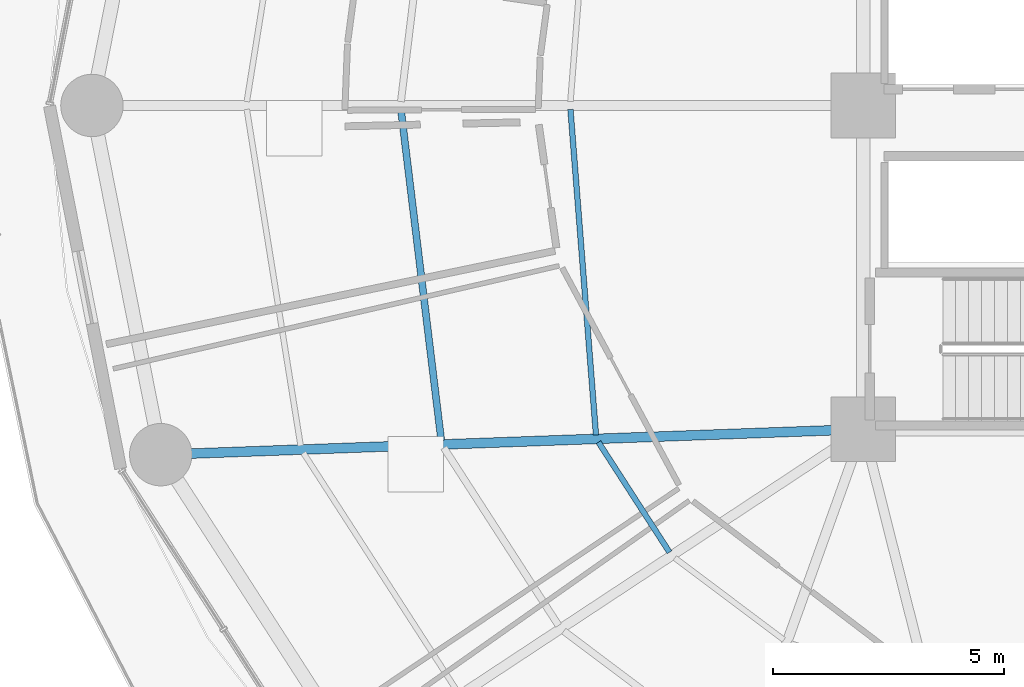
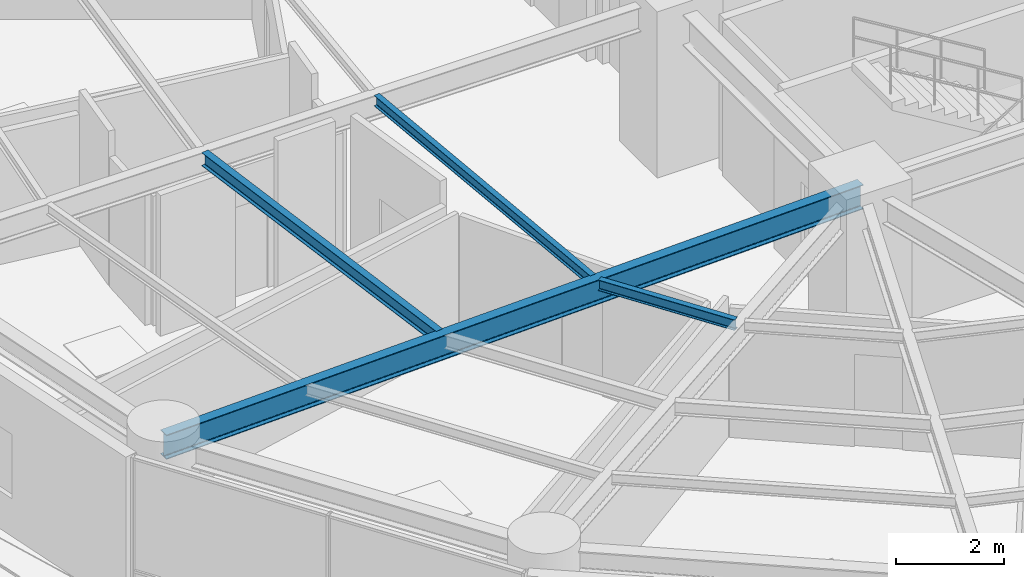
# One storey, part 7 of 35: 4 beams.
"""IFC4 building model written with IfcOpenShell, lengths in metres."""

from ifc_helpers import new_model, si_unit, direction, frame, origin, origin_2d, place, context, subcontext, project, spatial, i_section, extrude, material, material_profile, profile_set, type_object, element, save


model = new_model("IFC4")

# Units and contexts
model_context = context("Model", 3, precision=1e-05, world=origin(), true_north=direction((0.0, 1.0)))
body_context = subcontext(model_context, "Body", "Model", "MODEL_VIEW")
ifc_project = project(units=[si_unit("LENGTHUNIT", "METRE"), si_unit("AREAUNIT", "SQUARE_METRE"), si_unit("VOLUMEUNIT", "CUBIC_METRE"), si_unit("PLANEANGLEUNIT", "RADIAN"), si_unit("MASSUNIT", "GRAM", prefix="KILO")], contexts=[model_context])

# Site, building, storey
site_placement = place(None, origin())
site = spatial("IfcSite", under=ifc_project, at=site_placement, CompositionType="ELEMENT")
building_placement = place(site_placement, origin())
building = spatial("IfcBuilding", under=site, at=building_placement, Name="Kelanora Arch Commons", CompositionType="ELEMENT")
storey_placement = place(building_placement, frame((0.0, 0.0, 87.60009765625)))
storey = spatial("IfcBuildingStorey", under=building, at=storey_placement, Name="L22", CompositionType="ELEMENT", Elevation=87.60009765625)

# Beams
ifc_material = material(Name="Steel S355", Category="steel")
ifc_material_profile_1 = material_profile(ifc_material, i_section(OverallWidth=0.14990234375, OverallDepth=0.300048828125, WebThickness=0.007080078125, FlangeThickness=0.0107421875, FilletRadius=0.014892578125, at=origin_2d()), Name="IPE300")
ifc_profile_set_1 = profile_set([ifc_material_profile_1], Name="Steel S355")
beam_type_1 = type_object("IfcBeamType", Name="BM-JST-01", PredefinedType="JOIST", material=ifc_profile_set_1)
beam_1_placement = place(storey_placement, frame((56.002197265625, 57.91552734375, 3.33984375), z_axis=(0.120935645266, -0.992660349618, 0.0), x_axis=(0.992660349618, 0.120935645266, 0.0)))
element("IfcBeam", 1, at=beam_1_placement, inside=storey, type_object=beam_type_1, Name="Secondary Chord Joist BJB-18 L22", PredefinedType="JOIST", context=body_context, shape_type="SweptSolid", body=[
    extrude(i_section(OverallWidth=0.14990234375, OverallDepth=0.300048828125, WebThickness=0.007080078125, FlangeThickness=0.0107421875, FilletRadius=0.014892578125, at=origin_2d()), origin(), (0.0, 0.0, 1.0), 7.215087890625),
])
ifc_material_profile_2 = material_profile(ifc_material, i_section(OverallWidth=0.1201171875, OverallDepth=0.239990234375, WebThickness=0.006103515625, FlangeThickness=0.009765625, FilletRadius=0.014892578125, at=origin_2d()), Name="IPE240")
ifc_profile_set_2 = profile_set([ifc_material_profile_2], Name="Steel S355")
beam_type_2 = type_object("IfcBeamType", Name="BM-JST-02", PredefinedType="JOIST", material=ifc_profile_set_2)
beam_2_placement = place(storey_placement, frame((59.668212890625, 57.915283203125, 3.369873046875), z_axis=(0.078200677502, -0.996937637989, 0.0), x_axis=(0.996937637989, 0.078200677502, 0.0)))
element("IfcBeam", 2, at=beam_2_placement, inside=storey, type_object=beam_type_2, Name="Secondary Chord Joist BJA-18 L22", PredefinedType="JOIST", context=body_context, shape_type="SweptSolid", body=[
    extrude(i_section(OverallWidth=0.1201171875, OverallDepth=0.239990234375, WebThickness=0.006103515625, FlangeThickness=0.009765625, FilletRadius=0.014892578125, at=origin_2d()), origin(), (0.0, 0.0, 1.0), 7.06201171875),
])
beam_3_placement = place(storey_placement, frame((60.273193359375, 50.718994140625, 3.369873046875), z_axis=(0.542211255502, -0.840242199849, 0.0), x_axis=(0.840242199849, 0.542211255502, 0.0)))
element("IfcBeam", 3, at=beam_3_placement, inside=storey, type_object=beam_type_2, Name="Secondary Chord Joist BJA-20 L22", PredefinedType="JOIST", context=body_context, shape_type="SweptSolid", body=[
    extrude(i_section(OverallWidth=0.1201171875, OverallDepth=0.239990234375, WebThickness=0.006103515625, FlangeThickness=0.009765625, FilletRadius=0.014892578125, at=origin_2d()), origin(), (0.0, 0.0, 1.0), 2.83349609375),
])
ifc_material_profile_3 = material_profile(ifc_material, i_section(OverallWidth=0.2099609375, OverallDepth=0.550048828125, WebThickness=0.010986328125, FlangeThickness=0.01708984375, FilletRadius=0.02392578125, at=origin_2d()), Name="IPE550")
ifc_profile_set_3 = profile_set([ifc_material_profile_3], Name="Steel S355")
beam_type_3 = type_object("IfcBeamType", Name="BM-RAD-Z2", PredefinedType="BEAM", material=ifc_profile_set_3)
beam_4_placement = place(storey_placement, frame((66.0, 51.0, 3.21484375), z_axis=(-0.999341087625, -0.036295875581, 0.0), x_axis=(0.036295875581, -0.999341087625, 0.0)))
element("IfcBeam", 4, at=beam_4_placement, inside=storey, type_object=beam_type_3, Name="Radial Floor Girder BR-20 L22", PredefinedType="BEAM", context=body_context, shape_type="SweptSolid", body=[
    extrude(i_section(OverallWidth=0.2099609375, OverallDepth=0.550048828125, WebThickness=0.010986328125, FlangeThickness=0.01708984375, FilletRadius=0.02392578125, at=origin_2d()), origin(), (0.0, 0.0, 1.0), 15.20166015625),
])

save(model, "model.ifc")
